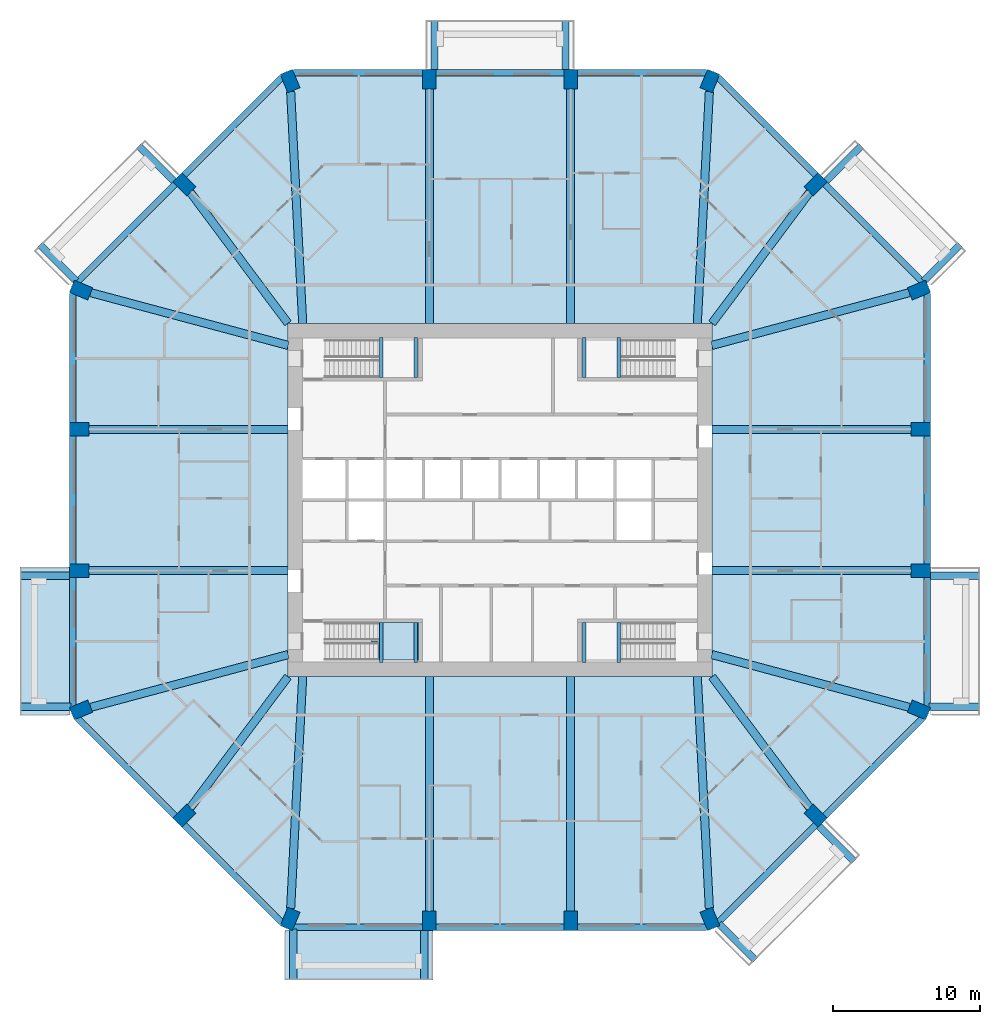
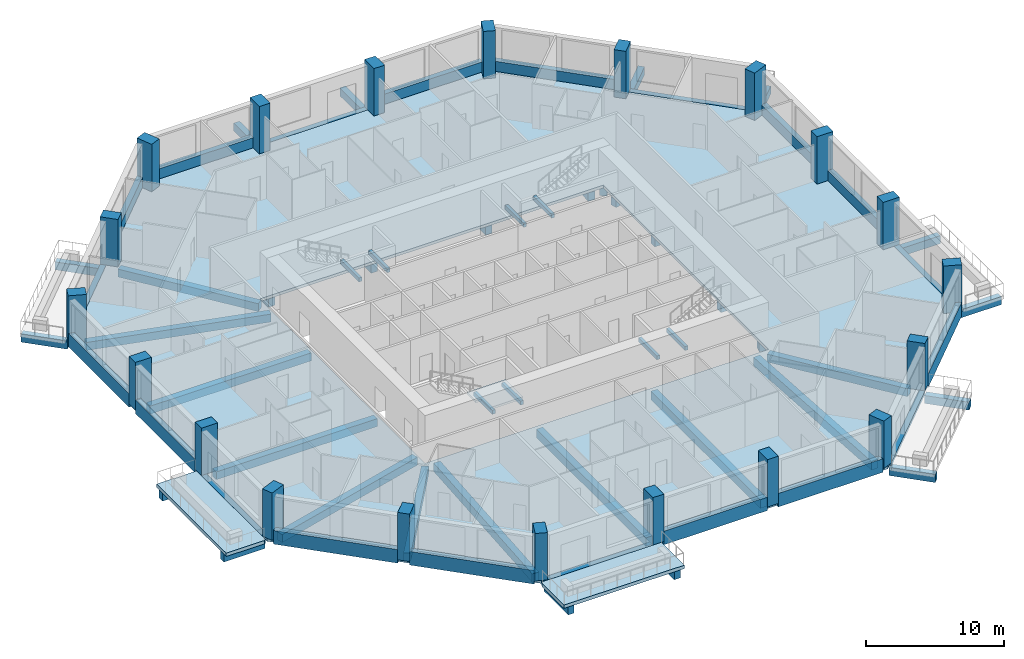
# One storey, part 1 of 13: 62 beams, 20 columns, 4 slabs, 1 element without a shape of its own.
"""IFC4 building model written with IfcOpenShell, lengths in metres."""

from ifc_helpers import new_model, si_unit, direction, frame, origin, origin_2d, place, context, subcontext, project, spatial, polyline, rectangle, outline, extrude, material, layer, layer_set, material_profile, profile_set, type_object, element, aggregate, save


model = new_model("IFC4")

# Units and contexts
model_context = context("Model", 3, precision=1e-05, world=origin(), true_north=direction((0.0, 1.0)))
body_context = subcontext(model_context, "Body", "Model", "MODEL_VIEW")
ifc_project = project(units=[si_unit("LENGTHUNIT", "METRE"), si_unit("AREAUNIT", "SQUARE_METRE"), si_unit("VOLUMEUNIT", "CUBIC_METRE"), si_unit("PLANEANGLEUNIT", "RADIAN"), si_unit("MASSUNIT", "GRAM", prefix="KILO")], contexts=[model_context])

# Site, building, storey
site_placement = place(None, origin())
site = spatial("IfcSite", under=ifc_project, at=site_placement, CompositionType="ELEMENT")
building_placement = place(site_placement, origin())
building = spatial("IfcBuilding", under=site, at=building_placement, Name="Msitu Wima Residences", CompositionType="ELEMENT")
storey_placement = place(building_placement, frame((0.0, 0.0, 50.699951171875)))
storey = spatial("IfcBuildingStorey", under=building, at=storey_placement, Name="L11", CompositionType="ELEMENT", Elevation=50.699951171875)

# Columns
ifc_material_1 = material(Name="Concrete C80/95", Category="concrete")
ifc_material_profile_1 = material_profile(ifc_material_1, rectangle(XDim=0.89990234375, YDim=1.35009765625, at=origin_2d()), Name="RC 900x1350")
ifc_profile_set_1 = profile_set([ifc_material_profile_1], Name="Concrete C80/95")
column_type = type_object("IfcColumnType", Name="Column RC 900x1350 Concrete C80/95", PredefinedType="COLUMN", material=ifc_profile_set_1)
for number, where, z_axis, x_axis, name in (
    (1, (28.4541015625, -14.2568359375, 0.0), (0.0, 0.0, 1.0), (0.382683496864, 0.923879505795, 0.0), "Column L11 C-E0"),
    (2, (28.574951171875, -4.800048828125, 0.0), (0.0, 0.0, 1.0), (0.0, 1.0, 0.0), "Column L11 C-E1"),
    (3, (28.574951171875, 4.800048828125, 0.0), (0.0, 0.0, 1.0), (0.0, 1.0, 0.0), "Column L11 C-E2"),
    (4, (28.4541015625, 14.2568359375, 0.0), (0.0, 0.0, 1.0), (-0.382683496864, 0.923879505795, 0.0), "Column L11 C-NE0"),
    (5, (21.44091796875, 21.44091796875, 0.0), (0.0, 0.0, 1.0), (-0.707106781187, 0.707106781187, 0.0), "Column L11 C-NE1"),
    (6, (14.2568359375, 28.4541015625, 0.0), (0.0, 0.0, 1.0), (-0.923879505795, 0.382683496864, 0.0), "Column L11 C-N0"),
    (7, (4.800048828125, 28.574951171875, 0.0), (0.0, 0.0, 1.0), (-1.0, 0.0, 0.0), "Column L11 C-N1"),
    (8, (-4.800048828125, 28.574951171875, 0.0), (0.0, 0.0, 1.0), (-1.0, 0.0, 0.0), "Column L11 C-N2"),
    (9, (-14.2568359375, 28.4541015625, 0.0), (0.0, 0.0, 1.0), (-0.923879505795, -0.382683496864, 0.0), "Column L11 C-NW0"),
    (10, (-21.44091796875, 21.44091796875, 0.0), (0.0, 0.0, 1.0), (-0.707106781187, -0.707106781187, 0.0), "Column L11 C-NW1"),
    (11, (-28.4541015625, 14.2568359375, 0.0), (0.0, 0.0, 1.0), (-0.382683496864, -0.923879505795, 0.0), "Column L11 C-W0"),
    (12, (-28.574951171875, 4.800048828125, 0.0), (0.0, 0.0, 1.0), (0.0, -1.0, 0.0), "Column L11 C-W1"),
    (13, (-28.574951171875, -4.800048828125, 0.0), (0.0, 0.0, 1.0), (0.0, -1.0, 0.0), "Column L11 C-W2"),
    (14, (-28.4541015625, -14.2568359375, 0.0), (0.0, 0.0, 1.0), (0.382683496864, -0.923879505795, 0.0), "Column L11 C-SW0"),
    (15, (-21.44091796875, -21.44091796875, 0.0), (0.0, 0.0, 1.0), (0.707106781187, -0.707106781187, 0.0), "Column L11 C-SW1"),
    (16, (-14.2568359375, -28.4541015625, 0.0), (0.0, 0.0, 1.0), (0.923879505795, -0.382683496864, 0.0), "Column L11 C-S0"),
    (17, (-4.800048828125, -28.574951171875, 0.0), (0.0, 0.0, 1.0), (1.0, 0.0, 0.0), "Column L11 C-S1"),
    (18, (4.800048828125, -28.574951171875, 0.0), (0.0, 0.0, 1.0), (1.0, 0.0, 0.0), "Column L11 C-S2"),
    (19, (14.2568359375, -28.4541015625, 0.0), (0.0, 0.0, 1.0), (0.923879505795, 0.382683496864, 0.0), "Column L11 C-SE0"),
    (20, (21.44091796875, -21.44091796875, 0.0), (0.0, 0.0, 1.0), (0.707106781187, 0.707106781187, 0.0), "Column L11 C-SE1"),
):
    element("IfcColumn", number, at=place(storey_placement, frame(where, z_axis=z_axis, x_axis=x_axis)), inside=storey, type_object=column_type, Name=name, PredefinedType="COLUMN", context=body_context, shape_type="SweptSolid", body=[
        extrude(rectangle(XDim=0.89990234375, YDim=1.35009765625, at=origin_2d()), origin(), (0.0, 0.0, 1.0), 4.199951171875),
    ])

# Beams
ifc_material_2 = material(Name="Concrete C50/60", Category="concrete")
ifc_material_profile_2 = material_profile(ifc_material_2, rectangle(XDim=0.550048828125, YDim=0.699951171875, at=origin_2d()), Name="RC 550x700")
ifc_profile_set_2 = profile_set([ifc_material_profile_2], Name="Concrete C50/60")
beam_type_1 = type_object("IfcBeamType", Name="Beam RC 550x700 Concrete C50/60", PredefinedType="BEAM", material=ifc_profile_set_2)
beam_1_placement = place(storey_placement, frame((27.79638671875, -14.080810546875, -0.599853515625), z_axis=(-0.966081778408, 0.258236320891, 0.0), x_axis=(-0.258236320891, -0.966081778408, 0.0)))
element("IfcBeam", 21, at=beam_1_placement, inside=storey, type_object=beam_type_1, Name="Beam L11 C-E0", PredefinedType="BEAM", context=body_context, shape_type="SweptSolid", body=[
    extrude(rectangle(XDim=0.550048828125, YDim=0.699951171875, at=origin_2d()), origin(), (0.0, 0.0, 1.0), 13.878662109375),
])
for number, where, z_axis, x_axis, name in (
    (22, (27.89990234375, -4.800048828125, -0.599853515625), (-1.0, 0.0, 0.0), (0.0, -1.0, 0.0), "Beam L11 C-E1"),
    (23, (27.89990234375, 4.800048828125, -0.599853515625), (-1.0, 0.0, 0.0), (0.0, -1.0, 0.0), "Beam L11 C-E2"),
):
    element("IfcBeam", number, at=place(storey_placement, frame(where, z_axis=z_axis, x_axis=x_axis)), inside=storey, type_object=beam_type_1, Name=name, PredefinedType="BEAM", context=body_context, shape_type="SweptSolid", body=[
        extrude(rectangle(XDim=0.550048828125, YDim=0.699951171875, at=origin_2d()), origin(), (0.0, 0.0, 1.0), 13.5),
    ])
beam_2_placement = place(storey_placement, frame((27.79638671875, 14.080810546875, -0.599853515625), z_axis=(-0.966081778408, -0.258236320891, 0.0), x_axis=(0.258236320891, -0.966081778408, 0.0)))
element("IfcBeam", 24, at=beam_2_placement, inside=storey, type_object=beam_type_1, Name="Beam L11 C-NE0", PredefinedType="BEAM", context=body_context, shape_type="SweptSolid", body=[
    extrude(rectangle(XDim=0.550048828125, YDim=0.699951171875, at=origin_2d()), origin(), (0.0, 0.0, 1.0), 13.878662109375),
])
for number, where, z_axis, x_axis, name in (
    (25, (21.033203125, 20.89404296875, -0.599853515625), (-0.597850242031, -0.801607814398, 0.0), (0.801607814398, -0.597850242031, 0.0), "Beam L11 C-NE1"),
    (26, (-21.033203125, 20.89404296875, -0.599853515625), (0.597850242031, -0.801607814398, 0.0), (0.801607814398, 0.597850242031, 0.0), "Beam L11 C-NW1"),
):
    element("IfcBeam", number, at=place(storey_placement, frame(where, z_axis=z_axis, x_axis=x_axis)), inside=storey, type_object=beam_type_1, Name=name, PredefinedType="BEAM", context=body_context, shape_type="SweptSolid", body=[
        extrude(rectangle(XDim=0.550048828125, YDim=0.699951171875, at=origin_2d()), origin(), (0.0, 0.0, 1.0), 11.09521484375),
    ])
beam_3_placement = place(storey_placement, frame((-27.79638671875, 14.080810546875, -0.599853515625), z_axis=(0.966081778408, -0.258236320891, 0.0), x_axis=(0.258236320891, 0.966081778408, 0.0)))
element("IfcBeam", 27, at=beam_3_placement, inside=storey, type_object=beam_type_1, Name="Beam L11 C-W0", PredefinedType="BEAM", context=body_context, shape_type="SweptSolid", body=[
    extrude(rectangle(XDim=0.550048828125, YDim=0.699951171875, at=origin_2d()), origin(), (0.0, 0.0, 1.0), 13.878662109375),
])
for number, where, z_axis, x_axis, name in (
    (28, (-27.89990234375, 4.800048828125, -0.599853515625), (1.0, 0.0, 0.0), (0.0, 1.0, 0.0), "Beam L11 C-W1"),
    (29, (-27.89990234375, -4.800048828125, -0.599853515625), (1.0, 0.0, 0.0), (0.0, 1.0, 0.0), "Beam L11 C-W2"),
):
    element("IfcBeam", number, at=place(storey_placement, frame(where, z_axis=z_axis, x_axis=x_axis)), inside=storey, type_object=beam_type_1, Name=name, PredefinedType="BEAM", context=body_context, shape_type="SweptSolid", body=[
        extrude(rectangle(XDim=0.550048828125, YDim=0.699951171875, at=origin_2d()), origin(), (0.0, 0.0, 1.0), 13.5),
    ])
beam_4_placement = place(storey_placement, frame((-27.79638671875, -14.080810546875, -0.599853515625), z_axis=(0.966081778408, 0.258236320891, 0.0), x_axis=(-0.258236320891, 0.966081778408, 0.0)))
element("IfcBeam", 30, at=beam_4_placement, inside=storey, type_object=beam_type_1, Name="Beam L11 C-SW0", PredefinedType="BEAM", context=body_context, shape_type="SweptSolid", body=[
    extrude(rectangle(XDim=0.550048828125, YDim=0.699951171875, at=origin_2d()), origin(), (0.0, 0.0, 1.0), 13.878662109375),
])
for number, where, z_axis, x_axis, name in (
    (31, (-21.033203125, -20.89404296875, -0.599853515625), (0.597850242031, 0.801607814398, 0.0), (-0.801607814398, 0.597850242031, 0.0), "Beam L11 C-SW1"),
    (32, (21.033203125, -20.89404296875, -0.599853515625), (-0.597850242031, 0.801607814398, 0.0), (-0.801607814398, -0.597850242031, 0.0), "Beam L11 C-SE1"),
):
    element("IfcBeam", number, at=place(storey_placement, frame(where, z_axis=z_axis, x_axis=x_axis)), inside=storey, type_object=beam_type_1, Name=name, PredefinedType="BEAM", context=body_context, shape_type="SweptSolid", body=[
        extrude(rectangle(XDim=0.550048828125, YDim=0.699951171875, at=origin_2d()), origin(), (0.0, 0.0, 1.0), 11.09521484375),
    ])
ifc_material_profile_3 = material_profile(ifc_material_2, rectangle(XDim=0.550048828125, YDim=0.75, at=origin_2d()), Name="RC 550x750")
ifc_profile_set_3 = profile_set([ifc_material_profile_3], Name="Concrete C50/60")
beam_type_2 = type_object("IfcBeamType", Name="Beam RC 550x750 Concrete C50/60", PredefinedType="BEAM", material=ifc_profile_set_3)
beam_5_placement = place(storey_placement, frame((14.219482421875, 27.739013671875, -0.625), z_axis=(-0.05199418091, -0.998647387796, 0.0), x_axis=(0.998647387796, -0.05199418091, 0.0)))
element("IfcBeam", 33, at=beam_5_placement, inside=storey, type_object=beam_type_2, Name="Beam L11 C-N0", PredefinedType="BEAM", context=body_context, shape_type="SweptSolid", body=[
    extrude(rectangle(XDim=0.550048828125, YDim=0.75, at=origin_2d()), origin(), (0.0, 0.0, 1.0), 15.772216796875),
])
for number, where, z_axis, x_axis, name in (
    (34, (4.800048828125, 27.89990234375, -0.625), (0.0, -1.0, 0.0), (1.0, 0.0, 0.0), "Beam L11 C-N1"),
    (35, (-4.800048828125, 27.89990234375, -0.625), (0.0, -1.0, 0.0), (1.0, 0.0, 0.0), "Beam L11 C-N2"),
):
    element("IfcBeam", number, at=place(storey_placement, frame(where, z_axis=z_axis, x_axis=x_axis)), inside=storey, type_object=beam_type_2, Name=name, PredefinedType="BEAM", context=body_context, shape_type="SweptSolid", body=[
        extrude(rectangle(XDim=0.550048828125, YDim=0.75, at=origin_2d()), origin(), (0.0, 0.0, 1.0), 15.89990234375),
    ])
for number, where, z_axis, x_axis, name in (
    (36, (-14.219482421875, 27.739013671875, -0.625), (0.05199418091, -0.998647387796, 0.0), (0.998647387796, 0.05199418091, 0.0), "Beam L11 C-NW0"),
    (37, (-14.219482421875, -27.739013671875, -0.625), (0.05199418091, 0.998647387796, 0.0), (-0.998647387796, 0.05199418091, 0.0), "Beam L11 C-S0"),
):
    element("IfcBeam", number, at=place(storey_placement, frame(where, z_axis=z_axis, x_axis=x_axis)), inside=storey, type_object=beam_type_2, Name=name, PredefinedType="BEAM", context=body_context, shape_type="SweptSolid", body=[
        extrude(rectangle(XDim=0.550048828125, YDim=0.75, at=origin_2d()), origin(), (0.0, 0.0, 1.0), 15.772216796875),
    ])
for number, where, z_axis, x_axis, name in (
    (38, (-4.800048828125, -27.89990234375, -0.625), (0.0, 1.0, 0.0), (-1.0, 0.0, 0.0), "Beam L11 C-S1"),
    (39, (4.800048828125, -27.89990234375, -0.625), (0.0, 1.0, 0.0), (-1.0, 0.0, 0.0), "Beam L11 C-S2"),
):
    element("IfcBeam", number, at=place(storey_placement, frame(where, z_axis=z_axis, x_axis=x_axis)), inside=storey, type_object=beam_type_2, Name=name, PredefinedType="BEAM", context=body_context, shape_type="SweptSolid", body=[
        extrude(rectangle(XDim=0.550048828125, YDim=0.75, at=origin_2d()), origin(), (0.0, 0.0, 1.0), 15.89990234375),
    ])
beam_6_placement = place(storey_placement, frame((14.219482421875, -27.739013671875, -0.625), z_axis=(-0.05199418091, 0.998647387796, 0.0), x_axis=(-0.998647387796, -0.05199418091, 0.0)))
element("IfcBeam", 40, at=beam_6_placement, inside=storey, type_object=beam_type_2, Name="Beam L11 C-SE0", PredefinedType="BEAM", context=body_context, shape_type="SweptSolid", body=[
    extrude(rectangle(XDim=0.550048828125, YDim=0.75, at=origin_2d()), origin(), (0.0, 0.0, 1.0), 15.772216796875),
])
ifc_material_profile_4 = material_profile(ifc_material_2, rectangle(XDim=0.5, YDim=0.699951171875, at=origin_2d()), Name="RC 500x700")
ifc_profile_set_4 = profile_set([ifc_material_profile_4], Name="Concrete C50/60")
beam_type_3 = type_object("IfcBeamType", Name="Cantilever beam RC 500x700 Concrete C50/60", PredefinedType="BEAM", material=ifc_profile_set_4)
beam_7_placement = place(storey_placement, frame((29.130859375, -14.050048828125, -0.64990234375), z_axis=(1.0, 0.0, 0.0), x_axis=(0.0, 1.0, 0.0)))
element("IfcBeam", 41, at=beam_7_placement, inside=storey, type_object=beam_type_3, Name="Cantilever beam L11 BA-E0 A", PredefinedType="BEAM", context=body_context, shape_type="SweptSolid", body=[
    extrude(rectangle(XDim=0.5, YDim=0.699951171875, at=origin_2d()), origin(), (0.0, 0.0, 1.0), 3.46923828125),
])
beam_8_placement = place(storey_placement, frame((29.25, -5.14990234375, -0.64990234375), z_axis=(1.0, 0.0, 0.0), x_axis=(0.0, 1.0, 0.0)))
element("IfcBeam", 42, at=beam_8_placement, inside=storey, type_object=beam_type_3, Name="Cantilever beam L11 BA-E0 B", PredefinedType="BEAM", context=body_context, shape_type="SweptSolid", body=[
    extrude(rectangle(XDim=0.5, YDim=0.699951171875, at=origin_2d()), origin(), (0.0, 0.0, 1.0), 3.35009765625),
])
beam_9_placement = place(storey_placement, frame((28.78662109375, 14.881591796875, -0.64990234375), z_axis=(0.707106781187, 0.707106781187, 0.0), x_axis=(-0.707106781187, 0.707106781187, 0.0)))
element("IfcBeam", 43, at=beam_9_placement, inside=storey, type_object=beam_type_3, Name="Cantilever beam L11 BA-NE0 A", PredefinedType="BEAM", context=body_context, shape_type="SweptSolid", body=[
    extrude(rectangle(XDim=0.5, YDim=0.699951171875, at=origin_2d()), origin(), (0.0, 0.0, 1.0), 3.468994140625),
])
beam_10_placement = place(storey_placement, frame((22.165771484375, 21.670654296875, -0.64990234375), z_axis=(0.707070340836, 0.707143219659, 0.0), x_axis=(-0.707143219659, 0.707070340836, 0.0)))
element("IfcBeam", 44, at=beam_10_placement, inside=storey, type_object=beam_type_3, Name="Cantilever beam L11 BA-NE0 B", PredefinedType="BEAM", context=body_context, shape_type="SweptSolid", body=[
    extrude(rectangle(XDim=0.5, YDim=0.699951171875, at=origin_2d()), origin(), (0.0, 0.0, 1.0), 3.349853515625),
])
for number, where, z_axis, x_axis, name in (
    (45, (4.449951171875, 29.25, -0.64990234375), (0.0, 1.0, 0.0), (-1.0, 0.0, 0.0), "Cantilever beam L11 BA-N1 A"),
    (46, (-4.449951171875, 29.25, -0.64990234375), (0.0, 1.0, 0.0), (-1.0, 0.0, 0.0), "Cantilever beam L11 BA-N1 B"),
):
    element("IfcBeam", number, at=place(storey_placement, frame(where, z_axis=z_axis, x_axis=x_axis)), inside=storey, type_object=beam_type_3, Name=name, PredefinedType="BEAM", context=body_context, shape_type="SweptSolid", body=[
        extrude(rectangle(XDim=0.5, YDim=0.699951171875, at=origin_2d()), origin(), (0.0, 0.0, 1.0), 3.35009765625),
    ])
beam_11_placement = place(storey_placement, frame((-22.165771484375, 21.670654296875, -0.64990234375), z_axis=(-0.707070340836, 0.707143219659, 0.0), x_axis=(-0.707143219659, -0.707070340836, 0.0)))
element("IfcBeam", 47, at=beam_11_placement, inside=storey, type_object=beam_type_3, Name="Cantilever beam L11 BA-NW1 A", PredefinedType="BEAM", context=body_context, shape_type="SweptSolid", body=[
    extrude(rectangle(XDim=0.5, YDim=0.699951171875, at=origin_2d()), origin(), (0.0, 0.0, 1.0), 3.349853515625),
])
beam_12_placement = place(storey_placement, frame((-28.78662109375, 14.881591796875, -0.64990234375), z_axis=(-0.707106781187, 0.707106781187, 0.0), x_axis=(-0.707106781187, -0.707106781187, 0.0)))
element("IfcBeam", 48, at=beam_12_placement, inside=storey, type_object=beam_type_3, Name="Cantilever beam L11 BA-NW1 B", PredefinedType="BEAM", context=body_context, shape_type="SweptSolid", body=[
    extrude(rectangle(XDim=0.5, YDim=0.699951171875, at=origin_2d()), origin(), (0.0, 0.0, 1.0), 3.468994140625),
])
beam_13_placement = place(storey_placement, frame((-29.25, -5.14990234375, -0.64990234375), z_axis=(-1.0, 0.0, 0.0), x_axis=(0.0, -1.0, 0.0)))
element("IfcBeam", 49, at=beam_13_placement, inside=storey, type_object=beam_type_3, Name="Cantilever beam L11 BA-W2 A", PredefinedType="BEAM", context=body_context, shape_type="SweptSolid", body=[
    extrude(rectangle(XDim=0.5, YDim=0.699951171875, at=origin_2d()), origin(), (0.0, 0.0, 1.0), 3.35009765625),
])
for number, where, z_axis, x_axis, name in (
    (50, (-29.130859375, -14.050048828125, -0.64990234375), (-1.0, 0.0, 0.0), (0.0, -1.0, 0.0), "Cantilever beam L11 BA-W2 B"),
    (51, (-14.050048828125, -29.130859375, -0.64990234375), (0.0, -1.0, 0.0), (1.0, 0.0, 0.0), "Cantilever beam L11 BA-S0 A"),
):
    element("IfcBeam", number, at=place(storey_placement, frame(where, z_axis=z_axis, x_axis=x_axis)), inside=storey, type_object=beam_type_3, Name=name, PredefinedType="BEAM", context=body_context, shape_type="SweptSolid", body=[
        extrude(rectangle(XDim=0.5, YDim=0.699951171875, at=origin_2d()), origin(), (0.0, 0.0, 1.0), 3.46923828125),
    ])
beam_14_placement = place(storey_placement, frame((-5.14990234375, -29.25, -0.64990234375), z_axis=(0.0, -1.0, 0.0), x_axis=(1.0, 0.0, 0.0)))
element("IfcBeam", 52, at=beam_14_placement, inside=storey, type_object=beam_type_3, Name="Cantilever beam L11 BA-S0 B", PredefinedType="BEAM", context=body_context, shape_type="SweptSolid", body=[
    extrude(rectangle(XDim=0.5, YDim=0.699951171875, at=origin_2d()), origin(), (0.0, 0.0, 1.0), 3.35009765625),
])
beam_15_placement = place(storey_placement, frame((14.881591796875, -28.78662109375, -0.64990234375), z_axis=(0.707106781187, -0.707106781187, 0.0), x_axis=(0.707106781187, 0.707106781187, 0.0)))
element("IfcBeam", 53, at=beam_15_placement, inside=storey, type_object=beam_type_3, Name="Cantilever beam L11 BA-SE0 A", PredefinedType="BEAM", context=body_context, shape_type="SweptSolid", body=[
    extrude(rectangle(XDim=0.5, YDim=0.699951171875, at=origin_2d()), origin(), (0.0, 0.0, 1.0), 3.468994140625),
])
beam_16_placement = place(storey_placement, frame((21.670654296875, -22.165771484375, -0.64990234375), z_axis=(0.707143219659, -0.707070340836, 0.0), x_axis=(0.707070340836, 0.707143219659, 0.0)))
element("IfcBeam", 54, at=beam_16_placement, inside=storey, type_object=beam_type_3, Name="Cantilever beam L11 BA-SE0 B", PredefinedType="BEAM", context=body_context, shape_type="SweptSolid", body=[
    extrude(rectangle(XDim=0.5, YDim=0.699951171875, at=origin_2d()), origin(), (0.0, 0.0, 1.0), 3.349853515625),
])
ifc_material_profile_5 = material_profile(ifc_material_2, rectangle(XDim=0.449951171875, YDim=0.300048828125, at=origin_2d()), Name="RC 450x300")
ifc_profile_set_5 = profile_set([ifc_material_profile_5], Name="Concrete C50/60")
beam_type_4 = type_object("IfcBeamType", Name="Edge beam RC 450x300 Concrete C50/60", PredefinedType="SPANDREL", material=ifc_profile_set_5)
beam_17_placement = place(storey_placement, frame((29.02490234375, -14.01806640625, -0.14990234375), z_axis=(0.0, 1.0, 0.0), x_axis=(-1.0, 0.0, 0.0)))
element("IfcBeam", 55, at=beam_17_placement, inside=storey, type_object=beam_type_4, Name="Spandrel L11 E0", PredefinedType="SPANDREL", context=body_context, shape_type="SweptSolid", body=[
    extrude(rectangle(XDim=0.449951171875, YDim=0.300048828125, at=origin_2d()), origin(), (0.0, 0.0, 1.0), 8.76806640625),
])
beam_18_placement = place(storey_placement, frame((28.68896484375, 14.8291015625, -0.14990234375), z_axis=(-0.707093725903, 0.707119836229, 0.0), x_axis=(-0.707119836229, -0.707093725903, 0.0)))
element("IfcBeam", 56, at=beam_18_placement, inside=storey, type_object=beam_type_4, Name="Spandrel L11 NE0", PredefinedType="SPANDREL", context=body_context, shape_type="SweptSolid", body=[
    extrude(rectangle(XDim=0.449951171875, YDim=0.300048828125, at=origin_2d()), origin(), (0.0, 0.0, 1.0), 9.350341796875),
])
beam_19_placement = place(storey_placement, frame((4.35009765625, 29.02490234375, -0.14990234375), z_axis=(-1.0, 0.0, 0.0), x_axis=(0.0, -1.0, 0.0)))
element("IfcBeam", 57, at=beam_19_placement, inside=storey, type_object=beam_type_4, Name="Spandrel L11 N1", PredefinedType="SPANDREL", context=body_context, shape_type="SweptSolid", body=[
    extrude(rectangle(XDim=0.449951171875, YDim=0.300048828125, at=origin_2d()), origin(), (0.0, 0.0, 1.0), 8.7001953125),
])
beam_20_placement = place(storey_placement, frame((-22.077392578125, 21.44091796875, -0.14990234375), z_axis=(-0.707093725903, -0.707119836229, 0.0), x_axis=(0.707119836229, -0.707093725903, 0.0)))
element("IfcBeam", 58, at=beam_20_placement, inside=storey, type_object=beam_type_4, Name="Spandrel L11 NW1", PredefinedType="SPANDREL", context=body_context, shape_type="SweptSolid", body=[
    extrude(rectangle(XDim=0.449951171875, YDim=0.300048828125, at=origin_2d()), origin(), (0.0, 0.0, 1.0), 9.350341796875),
])
for number, where, z_axis, x_axis, name in (
    (59, (-29.02490234375, -5.25, -0.14990234375), (0.0, -1.0, 0.0), (1.0, 0.0, 0.0), "Spandrel L11 W2"),
    (60, (-14.01806640625, -29.02490234375, -0.14990234375), (1.0, 0.0, 0.0), (0.0, 1.0, 0.0), "Spandrel L11 S0"),
):
    element("IfcBeam", number, at=place(storey_placement, frame(where, z_axis=z_axis, x_axis=x_axis)), inside=storey, type_object=beam_type_4, Name=name, PredefinedType="SPANDREL", context=body_context, shape_type="SweptSolid", body=[
        extrude(rectangle(XDim=0.449951171875, YDim=0.300048828125, at=origin_2d()), origin(), (0.0, 0.0, 1.0), 8.76806640625),
    ])
beam_21_placement = place(storey_placement, frame((14.8291015625, -28.68896484375, -0.14990234375), z_axis=(0.707119836229, 0.707093725903, 0.0), x_axis=(-0.707093725903, 0.707119836229, 0.0)))
element("IfcBeam", 61, at=beam_21_placement, inside=storey, type_object=beam_type_4, Name="Spandrel L11 SE0", PredefinedType="SPANDREL", context=body_context, shape_type="SweptSolid", body=[
    extrude(rectangle(XDim=0.449951171875, YDim=0.300048828125, at=origin_2d()), origin(), (0.0, 0.0, 1.0), 9.350341796875),
])
ifc_material_3 = material(Name="Concrete C40/50", Category="concrete")
ifc_material_profile_6 = material_profile(ifc_material_3, rectangle(XDim=0.25, YDim=0.35009765625, at=origin_2d()), Name="RC 250x350")
ifc_profile_set_6 = profile_set([ifc_material_profile_6], Name="Concrete C40/50")
beam_type_5 = type_object("IfcBeamType", Name="Landing beam RC 250x350", PredefinedType="BEAM", material=ifc_profile_set_6)
for number, where, z_axis, x_axis, name in (
    (62, (-8.074951171875, 8.324951171875, 1.72509765625), (0.0, 1.0, 0.0), (-1.0, 0.0, 0.0), "Stair 1 landing beam"),
    (63, (-5.72509765625, 8.324951171875, 1.72509765625), (0.0, 1.0, 0.0), (-1.0, 0.0, 0.0), "Stair 1 landing beam"),
    (64, (-8.074951171875, -11.02490234375, 1.72509765625), (0.0, 1.0, 0.0), (-1.0, 0.0, 0.0), "Stair 2 landing beam"),
    (65, (-5.72509765625, -11.02490234375, 1.72509765625), (0.0, 1.0, 0.0), (-1.0, 0.0, 0.0), "Stair 2 landing beam"),
    (66, (8.074951171875, 8.324951171875, 1.72509765625), (0.0, 1.0, 0.0), (-1.0, 0.0, 0.0), "Stair 3 landing beam"),
    (67, (5.72509765625, 8.324951171875, 1.72509765625), (0.0, 1.0, 0.0), (-1.0, 0.0, 0.0), "Stair 3 landing beam"),
    (68, (8.074951171875, -11.02490234375, 1.72509765625), (0.0, 1.0, 0.0), (-1.0, 0.0, 0.0), "Stair 4 landing beam"),
    (69, (5.72509765625, -11.02490234375, 1.72509765625), (0.0, 1.0, 0.0), (-1.0, 0.0, 0.0), "Stair 4 landing beam"),
):
    element("IfcBeam", number, at=place(storey_placement, frame(where, z_axis=z_axis, x_axis=x_axis)), inside=storey, type_object=beam_type_5, Name=name, PredefinedType="BEAM", context=body_context, shape_type="SweptSolid", body=[
        extrude(rectangle(XDim=0.25, YDim=0.35009765625, at=origin_2d()), origin(), (0.0, 0.0, 1.0), 2.699951171875),
    ])
ifc_material_profile_7 = material_profile(ifc_material_2, rectangle(XDim=0.449951171875, YDim=1.199951171875, at=origin_2d()), Name="RC 450x1200")
ifc_profile_set_7 = profile_set([ifc_material_profile_7], Name="Concrete C50/60")
beam_type_6 = type_object("IfcBeamType", Name="Spandrel RC 450x1200 Concrete C50/60", PredefinedType="SPANDREL", material=ifc_profile_set_7)
beam_22_placement = place(storey_placement, frame((29.02490234375, -4.35009765625, 0.300048828125), z_axis=(0.0, 1.0, 0.0), x_axis=(-1.0, 0.0, 0.0)))
element("IfcBeam", 70, at=beam_22_placement, inside=storey, type_object=beam_type_6, Name="Spandrel L11 E1", PredefinedType="SPANDREL", context=body_context, shape_type="SweptSolid", body=[
    extrude(rectangle(XDim=0.449951171875, YDim=1.199951171875, at=origin_2d()), origin(), (0.0, 0.0, 1.0), 8.7001953125),
])
beam_23_placement = place(storey_placement, frame((29.02490234375, 5.25, 0.300048828125), z_axis=(0.0, 1.0, 0.0), x_axis=(-1.0, 0.0, 0.0)))
element("IfcBeam", 71, at=beam_23_placement, inside=storey, type_object=beam_type_6, Name="Spandrel L11 E2", PredefinedType="SPANDREL", context=body_context, shape_type="SweptSolid", body=[
    extrude(rectangle(XDim=0.449951171875, YDim=1.199951171875, at=origin_2d()), origin(), (0.0, 0.0, 1.0), 8.76806640625),
])
beam_24_placement = place(storey_placement, frame((21.44091796875, 22.077392578125, 0.300048828125), z_axis=(-0.707119836229, 0.707093725903, 0.0), x_axis=(-0.707093725903, -0.707119836229, 0.0)))
element("IfcBeam", 72, at=beam_24_placement, inside=storey, type_object=beam_type_6, Name="Spandrel L11 NE1", PredefinedType="SPANDREL", context=body_context, shape_type="SweptSolid", body=[
    extrude(rectangle(XDim=0.449951171875, YDim=1.199951171875, at=origin_2d()), origin(), (0.0, 0.0, 1.0), 9.350341796875),
])
for number, where, z_axis, x_axis, name in (
    (73, (14.01806640625, 29.02490234375, 0.300048828125), (-1.0, 0.0, 0.0), (0.0, -1.0, 0.0), "Spandrel L11 N0"),
    (74, (-5.25, 29.02490234375, 0.300048828125), (-1.0, 0.0, 0.0), (0.0, -1.0, 0.0), "Spandrel L11 N2"),
):
    element("IfcBeam", number, at=place(storey_placement, frame(where, z_axis=z_axis, x_axis=x_axis)), inside=storey, type_object=beam_type_6, Name=name, PredefinedType="SPANDREL", context=body_context, shape_type="SweptSolid", body=[
        extrude(rectangle(XDim=0.449951171875, YDim=1.199951171875, at=origin_2d()), origin(), (0.0, 0.0, 1.0), 8.76806640625),
    ])
beam_25_placement = place(storey_placement, frame((-14.8291015625, 28.68896484375, 0.300048828125), z_axis=(-0.707119836229, -0.707093725903, 0.0), x_axis=(0.707093725903, -0.707119836229, 0.0)))
element("IfcBeam", 75, at=beam_25_placement, inside=storey, type_object=beam_type_6, Name="Spandrel L11 NW0", PredefinedType="SPANDREL", context=body_context, shape_type="SweptSolid", body=[
    extrude(rectangle(XDim=0.449951171875, YDim=1.199951171875, at=origin_2d()), origin(), (0.0, 0.0, 1.0), 9.350341796875),
])
beam_26_placement = place(storey_placement, frame((-29.02490234375, 14.01806640625, 0.300048828125), z_axis=(0.0, -1.0, 0.0), x_axis=(1.0, 0.0, 0.0)))
element("IfcBeam", 76, at=beam_26_placement, inside=storey, type_object=beam_type_6, Name="Spandrel L11 W0", PredefinedType="SPANDREL", context=body_context, shape_type="SweptSolid", body=[
    extrude(rectangle(XDim=0.449951171875, YDim=1.199951171875, at=origin_2d()), origin(), (0.0, 0.0, 1.0), 8.76806640625),
])
beam_27_placement = place(storey_placement, frame((-29.02490234375, 4.35009765625, 0.300048828125), z_axis=(0.0, -1.0, 0.0), x_axis=(1.0, 0.0, 0.0)))
element("IfcBeam", 77, at=beam_27_placement, inside=storey, type_object=beam_type_6, Name="Spandrel L11 W1", PredefinedType="SPANDREL", context=body_context, shape_type="SweptSolid", body=[
    extrude(rectangle(XDim=0.449951171875, YDim=1.199951171875, at=origin_2d()), origin(), (0.0, 0.0, 1.0), 8.7001953125),
])
for number, where, z_axis, x_axis, name in (
    (78, (-28.68896484375, -14.8291015625, 0.300048828125), (0.707093725903, -0.707119836229, 0.0), (0.707119836229, 0.707093725903, 0.0), "Spandrel L11 SW0"),
    (79, (-21.44091796875, -22.077392578125, 0.300048828125), (0.707119836229, -0.707093725903, 0.0), (0.707093725903, 0.707119836229, 0.0), "Spandrel L11 SW1"),
):
    element("IfcBeam", number, at=place(storey_placement, frame(where, z_axis=z_axis, x_axis=x_axis)), inside=storey, type_object=beam_type_6, Name=name, PredefinedType="SPANDREL", context=body_context, shape_type="SweptSolid", body=[
        extrude(rectangle(XDim=0.449951171875, YDim=1.199951171875, at=origin_2d()), origin(), (0.0, 0.0, 1.0), 9.350341796875),
    ])
beam_28_placement = place(storey_placement, frame((-4.35009765625, -29.02490234375, 0.300048828125), z_axis=(1.0, 0.0, 0.0), x_axis=(0.0, 1.0, 0.0)))
element("IfcBeam", 80, at=beam_28_placement, inside=storey, type_object=beam_type_6, Name="Spandrel L11 S1", PredefinedType="SPANDREL", context=body_context, shape_type="SweptSolid", body=[
    extrude(rectangle(XDim=0.449951171875, YDim=1.199951171875, at=origin_2d()), origin(), (0.0, 0.0, 1.0), 8.7001953125),
])
beam_29_placement = place(storey_placement, frame((5.25, -29.02490234375, 0.300048828125), z_axis=(1.0, 0.0, 0.0), x_axis=(0.0, 1.0, 0.0)))
element("IfcBeam", 81, at=beam_29_placement, inside=storey, type_object=beam_type_6, Name="Spandrel L11 S2", PredefinedType="SPANDREL", context=body_context, shape_type="SweptSolid", body=[
    extrude(rectangle(XDim=0.449951171875, YDim=1.199951171875, at=origin_2d()), origin(), (0.0, 0.0, 1.0), 8.76806640625),
])
beam_30_placement = place(storey_placement, frame((22.077392578125, -21.44091796875, 0.300048828125), z_axis=(0.707093725903, 0.707119836229, 0.0), x_axis=(-0.707119836229, 0.707093725903, 0.0)))
element("IfcBeam", 82, at=beam_30_placement, inside=storey, type_object=beam_type_6, Name="Spandrel L11 SE1", PredefinedType="SPANDREL", context=body_context, shape_type="SweptSolid", body=[
    extrude(rectangle(XDim=0.449951171875, YDim=1.199951171875, at=origin_2d()), origin(), (0.0, 0.0, 1.0), 9.350341796875),
])

# Slabs
ifc_layer_1 = layer(ifc_material_3, 0.300048828125)
ifc_layer_set_1 = layer_set([ifc_layer_1], Name="Concrete C40/50")
slab_type_1 = type_object("IfcSlabType", Name="Balcony slab BS300", PredefinedType="FLOOR", material=ifc_layer_set_1)
slab_1_placement = place(storey_placement, frame((0.0, 0.0, -0.300048828125)))
element("IfcSlab", 83, at=slab_1_placement, inside=storey, type_object=slab_type_1, Name="Balcony W2 L11", PredefinedType="FLOOR", context=body_context, shape_type="SweptSolid", body=[
    extrude(outline(polyline([(-29.25, -14.099365234375), (-29.25, -14.099365234375), (-29.25, -14.099365234375), (-29.25, -14.58642578125), (-29.403564453125, -14.64990234375), (-32.60009765625, -14.64990234375), (-32.60009765625, -4.550048828125), (-29.25, -4.550048828125), (-29.25, -5.25), (-29.25, -14.099365234375)])), origin(), (0.0, 0.0, 1.0), 0.300048828125),
])
slab_2_placement = place(storey_placement, frame((0.0, 0.0, -0.300048828125)))
element("IfcSlab", 84, at=slab_2_placement, inside=storey, type_object=slab_type_1, Name="Balcony S0 L11", PredefinedType="FLOOR", context=body_context, shape_type="SweptSolid", body=[
    extrude(outline(polyline([(-14.099365234375, -29.25), (-14.099365234375, -29.25), (-5.25, -29.25), (-4.550048828125, -29.25), (-4.550048828125, -32.60009765625), (-14.64990234375, -32.60009765625), (-14.64990234375, -29.403564453125), (-14.58642578125, -29.25), (-14.099365234375, -29.25), (-14.099365234375, -29.25)])), origin(), (0.0, 0.0, 1.0), 0.300048828125),
])
ifc_layer_2 = layer(ifc_material_3, 0.25)
ifc_layer_set_2 = layer_set([ifc_layer_2], Name="Concrete C40/50")
slab_type_2 = type_object("IfcSlabType", Name="PT flat slab 250 Concrete C40/50", PredefinedType="FLOOR", material=ifc_layer_set_2)
slab_3_placement = place(storey_placement, frame((0.0, 0.0, -0.25)))
element("IfcSlab", 85, at=slab_3_placement, inside=storey, type_object=slab_type_2, Name="Floor slab L11", PredefinedType="FLOOR", context=body_context, shape_type="SweptSolid", body=[
    extrude(outline(polyline([(29.10009765625, -14.524169921875), (14.524169921875, -29.10009765625), (-14.524169921875, -29.10009765625), (-29.10009765625, -14.524169921875), (-29.10009765625, 14.524169921875), (-14.524169921875, 29.10009765625), (14.524169921875, 29.10009765625), (29.10009765625, 14.524169921875), (29.10009765625, -14.524169921875)]), holes=[polyline([(-14.39990234375, -12.0), (14.39990234375, -12.0), (14.39990234375, 12.0), (-14.39990234375, 12.0), (-14.39990234375, -12.0)])]), origin(), (0.0, 0.0, 1.0), 0.25),
])

# Stair, slab
stair_type = type_object("IfcStairType", Name="Exit stair ES1615-120", PredefinedType="HALF_TURN_STAIR", material=ifc_material_3)
stair_placement = place(storey_placement, origin())
stair = element("IfcStair", 86, at=stair_placement, inside=storey, type_object=stair_type, Name="Exit stair 2", PredefinedType="HALF_TURN_STAIR")
ifc_layer_3 = layer(ifc_material_3, 0.199951171875)
ifc_layer_set_3 = layer_set([ifc_layer_3], Name="Concrete C40/50")
slab_type_3 = type_object("IfcSlabType", Name="Stair landing SL200", PredefinedType="LANDING", material=ifc_layer_set_3)
slab_4_placement = place(storey_placement, frame((0.0, 0.0, 1.900146484375)))
slab_4 = element("IfcSlab", 87, at=slab_4_placement, type_object=slab_type_3, Name="S2 landing 1", PredefinedType="LANDING", context=body_context, shape_type="SweptSolid", body=[
    extrude(outline(polyline([(-5.52490234375, -10.875), (-8.275390625, -10.875), (-8.275390625, -9.60009765625), (-8.77490234375, -9.60009765625), (-8.77490234375, -8.324951171875), (-5.52490234375, -8.324951171875), (-5.52490234375, -10.875)])), origin(), (0.0, 0.0, 1.0), 0.199951171875),
])
aggregate(stair, [slab_4])

save(model, "model.ifc")
